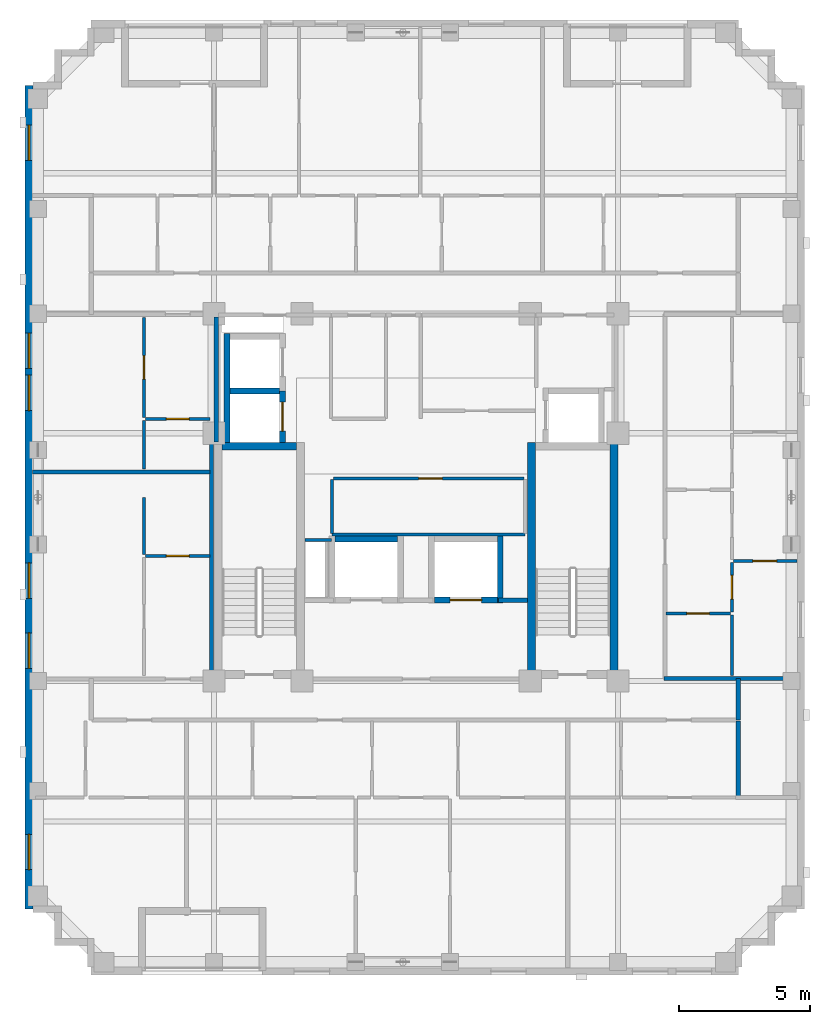
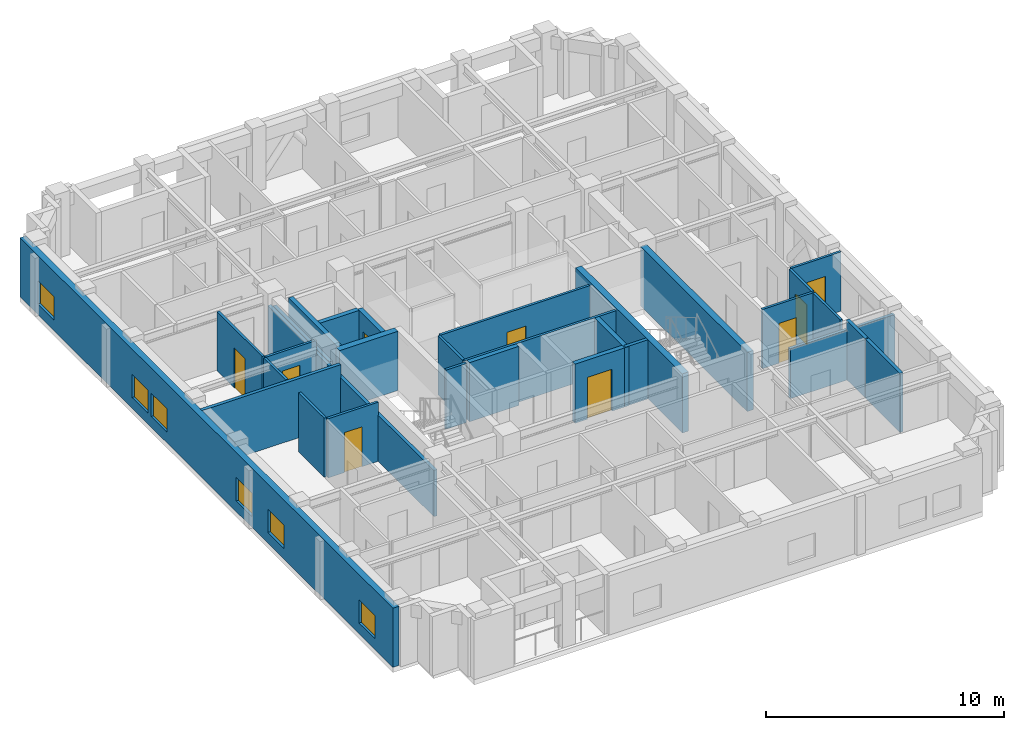
# One storey, part 4 of 10: 30 walls, 9 doors, 6 windows, 15 openings.
"""IFC4 building model written with IfcOpenShell, lengths in metres."""

from ifc_helpers import new_model, si_unit, derived_unit, direction, frame, frame_2d, origin, place, context, subcontext, project, spatial, rectangle, extrude, material, layer, layer_set, type_object, element, fill, save


model = new_model("IFC4")

# Units and contexts
model_context = context("Model", 3, precision=1e-05, world=origin(), true_north=direction((0.0, 1.0)))
body_context = subcontext(model_context, "Body", "Model", "MODEL_VIEW")
ifc_project = project(units=[si_unit("LENGTHUNIT", "METRE"), si_unit("AREAUNIT", "SQUARE_METRE"), si_unit("VOLUMEUNIT", "CUBIC_METRE"), si_unit("PLANEANGLEUNIT", "RADIAN"), si_unit("MASSUNIT", "GRAM", prefix="KILO"), derived_unit("THERMALTRANSMITTANCEUNIT", [(si_unit("MASSUNIT", "GRAM", prefix="KILO"), 1), (si_unit("TIMEUNIT", "SECOND"), -3), (si_unit("THERMODYNAMICTEMPERATUREUNIT", "KELVIN"), -1)])], contexts=[model_context])

# Site, building, storey
site_placement = place(None, origin())
site = spatial("IfcSite", under=ifc_project, at=site_placement, CompositionType="ELEMENT")
building_placement = place(site_placement, origin())
building = spatial("IfcBuilding", under=site, at=building_placement, Name="Korrvale Station Residences", CompositionType="ELEMENT")
storey_placement = place(building_placement, frame((0.0, 0.0, 207.39990234375)))
storey = spatial("IfcBuildingStorey", under=building, at=storey_placement, Name="L60", CompositionType="ELEMENT", Elevation=207.39990234375)

# Walls
ifc_material_1 = material(Name="Concrete C50/60", Category="concrete")
ifc_layer_1 = layer(ifc_material_1, 0.300048828125, Name="Concrete C50/60")
ifc_layer_set_1 = layer_set([ifc_layer_1], Name="Concrete C50/60")
wall_type_1 = type_object("IfcWallType", Name="WAL-CORE-300-C50", PredefinedType="SHEAR", material=ifc_layer_set_1)
wall_1_placement = place(storey_placement, frame((18.10009765625, 23.949951171875, 0.0), z_axis=(0.0, 0.0, 1.0), x_axis=(1.0, 0.0, 0.0)))
element("IfcWall", 1, at=wall_1_placement, inside=storey, type_object=wall_type_1, Name="L60 ST-1 Core Shear Wall North", PredefinedType="SHEAR", context=body_context, shape_type="SweptSolid", body=[
    extrude(rectangle(XDim=2.849853515625, YDim=0.300048828125, at=frame_2d((1.4248046875, 0.0))), origin(), (0.0, 0.0, 1.0), 3.0400390625),
])
for number, where, z_axis, x_axis, name in (
    (2, (29.89990234375, 15.10009765625, 0.0), (0.0, 0.0, 1.0), (0.0, 1.0, 0.0), "L60 ST-2 Core Shear Wall West"),
    (3, (33.050048828125, 15.10009765625, 0.0), (0.0, 0.0, 1.0), (0.0, 1.0, 0.0), "L60 ST-2 Core Shear Wall East"),
):
    element("IfcWall", number, at=place(storey_placement, frame(where, z_axis=z_axis, x_axis=x_axis)), inside=storey, type_object=wall_type_1, Name=name, PredefinedType="SHEAR", context=body_context, shape_type="SweptSolid", body=[
        extrude(rectangle(XDim=9.0, YDim=0.300048828125, at=frame_2d((4.5, 0.0))), origin(), (0.0, 0.0, 1.0), 3.0400390625),
    ])

# Wall, openings, windows
ifc_material_2 = material(Name="Precast concrete C45/55", Category="concrete")
ifc_layer_2 = layer(ifc_material_2, 0.300048828125, Name="Precast concrete C45/55")
ifc_layer_set_2 = layer_set([ifc_layer_2], Name="Precast concrete C45/55")
wall_type_2 = type_object("IfcWallType", Name="WAL-EXT-PC300", PredefinedType="SOLIDWALL", material=ifc_layer_set_2)
wall_2_placement = place(storey_placement, frame((10.75, 6.300048828125, 0.0), z_axis=(0.0, 0.0, 1.0), x_axis=(0.0, 1.0, 0.0)))
wall_2 = element("IfcWall", 4, at=wall_2_placement, inside=storey, type_object=wall_type_2, Name="L60 West Exterior Precast Wall 1", PredefinedType="SOLIDWALL", context=body_context, shape_type="SweptSolid", body=[
    extrude(rectangle(XDim=31.39990234375, YDim=0.300048828125, at=frame_2d((15.699951171875, 0.0))), origin(), (0.0, 0.0, 1.0), 3.0400390625),
])
opening_1_placement = place(wall_2_placement, frame((1.50390625, 0.0, 0.550048828125)))
opening_1 = element("IfcOpeningElement", 5, at=opening_1_placement, cuts=wall_2, Name="Opening W-10", PredefinedType="OPENING", context=body_context, shape_type="SweptSolid", body=[
    extrude(rectangle(XDim=1.35009765625, YDim=1.199951171875, at=frame_2d((0.675048828125, 0.60009765625))), frame((0.0, 0.16015625, 0.0), z_axis=(0.0, -1.0, 0.0), x_axis=(1.0, 0.0, 0.0)), (0.0, 0.0, 1.0), 0.320068359375),
])
opening_2_placement = place(wall_2_placement, frame((28.5458984375, 0.0, 0.550048828125)))
opening_2 = element("IfcOpeningElement", 6, at=opening_2_placement, cuts=wall_2, Name="Opening W-10", PredefinedType="OPENING", context=body_context, shape_type="SweptSolid", body=[
    extrude(rectangle(XDim=1.35009765625, YDim=1.199951171875, at=frame_2d((0.675048828125, 0.60009765625))), frame((0.0, 0.16015625, 0.0), z_axis=(0.0, -1.0, 0.0), x_axis=(1.0, 0.0, 0.0)), (0.0, 0.0, 1.0), 0.320068359375),
])
opening_3_placement = place(wall_2_placement, frame((11.85009765625, 0.0, 0.550048828125)))
opening_3 = element("IfcOpeningElement", 7, at=opening_3_placement, cuts=wall_2, Name="Opening W-10", PredefinedType="OPENING", context=body_context, shape_type="SweptSolid", body=[
    extrude(rectangle(XDim=1.35009765625, YDim=1.199951171875, at=frame_2d((0.675048828125, 0.60009765625))), frame((0.0, 0.16015625, 0.0), z_axis=(0.0, -1.0, 0.0), x_axis=(1.0, 0.0, 0.0)), (0.0, 0.0, 1.0), 0.320068359375),
])
opening_4_placement = place(wall_2_placement, frame((9.18505859375, 0.0, 0.550048828125)))
opening_4 = element("IfcOpeningElement", 8, at=opening_4_placement, cuts=wall_2, Name="Opening W-10", PredefinedType="OPENING", context=body_context, shape_type="SweptSolid", body=[
    extrude(rectangle(XDim=1.35009765625, YDim=1.199951171875, at=frame_2d((0.675048828125, 0.60009765625))), frame((0.0, 0.16015625, 0.0), z_axis=(0.0, -1.0, 0.0), x_axis=(1.0, 0.0, 0.0)), (0.0, 0.0, 1.0), 0.320068359375),
])
opening_5_placement = place(wall_2_placement, frame((19.006103515625, 0.0, 0.550048828125)))
opening_5 = element("IfcOpeningElement", 9, at=opening_5_placement, cuts=wall_2, Name="Opening W-10", PredefinedType="OPENING", context=body_context, shape_type="SweptSolid", body=[
    extrude(rectangle(XDim=1.35009765625, YDim=1.199951171875, at=frame_2d((0.675048828125, 0.60009765625))), frame((0.0, 0.16015625, 0.0), z_axis=(0.0, -1.0, 0.0), x_axis=(1.0, 0.0, 0.0)), (0.0, 0.0, 1.0), 0.320068359375),
])
opening_6_placement = place(wall_2_placement, frame((20.615966796875, 0.0, 0.550048828125)))
opening_6 = element("IfcOpeningElement", 10, at=opening_6_placement, cuts=wall_2, Name="Opening W-10", PredefinedType="OPENING", context=body_context, shape_type="SweptSolid", body=[
    extrude(rectangle(XDim=1.35009765625, YDim=1.199951171875, at=frame_2d((0.675048828125, 0.60009765625))), frame((0.0, 0.16015625, 0.0), z_axis=(0.0, -1.0, 0.0), x_axis=(1.0, 0.0, 0.0)), (0.0, 0.0, 1.0), 0.320068359375),
])
ifc_material_3 = material(Name="Thermally broken aluminium frame with triple low-e glazing", Category="aluminium")
window_type = type_object("IfcWindowType", Name="WIN-W10", PartitioningType="SINGLE_PANEL", PredefinedType="WINDOW", material=ifc_material_3)
window_1_placement = place(opening_1_placement, origin())
window_1 = element("IfcWindow", 11, at=window_1_placement, inside=storey, type_object=window_type, Name="L60 Punched Window 01", OverallHeight=1.199951171875, OverallWidth=1.35009765625, PartitioningType="SINGLE_PANEL", PredefinedType="WINDOW", context=body_context, shape_type="SweptSolid", body=[
    extrude(rectangle(XDim=1.35009765625, YDim=1.199951171875, at=frame_2d((0.675048828125, 0.60009765625))), frame((0.0, 0.030029296875, 0.0), z_axis=(0.0, -1.0, 0.0), x_axis=(1.0, 0.0, 0.0)), (0.0, 0.0, 1.0), 0.06005859375),
])
fill(opening_1, window_1)
window_2_placement = place(opening_2_placement, origin())
window_2 = element("IfcWindow", 12, at=window_2_placement, inside=storey, type_object=window_type, Name="L60 Punched Window 06", OverallHeight=1.199951171875, OverallWidth=1.35009765625, PartitioningType="SINGLE_PANEL", PredefinedType="WINDOW", context=body_context, shape_type="SweptSolid", body=[
    extrude(rectangle(XDim=1.35009765625, YDim=1.199951171875, at=frame_2d((0.675048828125, 0.60009765625))), frame((0.0, 0.030029296875, 0.0), z_axis=(0.0, -1.0, 0.0), x_axis=(1.0, 0.0, 0.0)), (0.0, 0.0, 1.0), 0.06005859375),
])
fill(opening_2, window_2)
window_3_placement = place(opening_3_placement, origin())
window_3 = element("IfcWindow", 13, at=window_3_placement, inside=storey, type_object=window_type, Name="L60 Punched Window 11", OverallHeight=1.199951171875, OverallWidth=1.35009765625, PartitioningType="SINGLE_PANEL", PredefinedType="WINDOW", context=body_context, shape_type="SweptSolid", body=[
    extrude(rectangle(XDim=1.35009765625, YDim=1.199951171875, at=frame_2d((0.675048828125, 0.60009765625))), frame((0.0, 0.030029296875, 0.0), z_axis=(0.0, -1.0, 0.0), x_axis=(1.0, 0.0, 0.0)), (0.0, 0.0, 1.0), 0.06005859375),
])
fill(opening_3, window_3)
window_4_placement = place(opening_4_placement, origin())
window_4 = element("IfcWindow", 14, at=window_4_placement, inside=storey, type_object=window_type, Name="L60 Punched Window 12", OverallHeight=1.199951171875, OverallWidth=1.35009765625, PartitioningType="SINGLE_PANEL", PredefinedType="WINDOW", context=body_context, shape_type="SweptSolid", body=[
    extrude(rectangle(XDim=1.35009765625, YDim=1.199951171875, at=frame_2d((0.675048828125, 0.60009765625))), frame((0.0, 0.030029296875, 0.0), z_axis=(0.0, -1.0, 0.0), x_axis=(1.0, 0.0, 0.0)), (0.0, 0.0, 1.0), 0.06005859375),
])
fill(opening_4, window_4)
window_5_placement = place(opening_5_placement, origin())
window_5 = element("IfcWindow", 15, at=window_5_placement, inside=storey, type_object=window_type, Name="L60 Punched Window 13", OverallHeight=1.199951171875, OverallWidth=1.35009765625, PartitioningType="SINGLE_PANEL", PredefinedType="WINDOW", context=body_context, shape_type="SweptSolid", body=[
    extrude(rectangle(XDim=1.35009765625, YDim=1.199951171875, at=frame_2d((0.675048828125, 0.60009765625))), frame((0.0, 0.030029296875, 0.0), z_axis=(0.0, -1.0, 0.0), x_axis=(1.0, 0.0, 0.0)), (0.0, 0.0, 1.0), 0.06005859375),
])
fill(opening_5, window_5)
window_6_placement = place(opening_6_placement, origin())
window_6 = element("IfcWindow", 16, at=window_6_placement, inside=storey, type_object=window_type, Name="L60 Punched Window 14", OverallHeight=1.199951171875, OverallWidth=1.35009765625, PartitioningType="SINGLE_PANEL", PredefinedType="WINDOW", context=body_context, shape_type="SweptSolid", body=[
    extrude(rectangle(XDim=1.35009765625, YDim=1.199951171875, at=frame_2d((0.675048828125, 0.60009765625))), frame((0.0, 0.030029296875, 0.0), z_axis=(0.0, -1.0, 0.0), x_axis=(1.0, 0.0, 0.0)), (0.0, 0.0, 1.0), 0.06005859375),
])
fill(opening_6, window_6)

# Walls
ifc_material_4 = material(Name="Acoustic steel-stud gypsum board partition", Category="steel")
ifc_layer_3 = layer(ifc_material_4, 0.1201171875, Name="Acoustic steel-stud gypsum board partition")
ifc_layer_set_3 = layer_set([ifc_layer_3], Name="Acoustic steel-stud gypsum board partition")
wall_type_3 = type_object("IfcWallType", Name="WAL-PART-125", PredefinedType="PARTITIONING", material=ifc_layer_set_3)
wall_3_placement = place(storey_placement, frame((22.280029296875, 20.3798828125, 0.0), z_axis=(0.0, 0.0, 1.0), x_axis=(-1.0, 0.0, 0.0)))
element("IfcWall", 17, at=wall_3_placement, inside=storey, type_object=wall_type_3, Name="L60 Core Partition CW-RSWT-N", PredefinedType="PARTITIONING", context=body_context, shape_type="SweptSolid", body=[
    extrude(rectangle(XDim=1.02001953125, YDim=0.1201171875, at=frame_2d((0.510009765625, 0.0))), origin(), (0.0, 0.0, 1.0), 3.0400390625),
])
wall_4_placement = place(storey_placement, frame((22.300048828125, 20.580078125, 0.0), z_axis=(0.0, 0.0, 1.0), x_axis=(1.0, 0.0, 0.0)))
element("IfcWall", 18, at=wall_4_placement, inside=storey, type_object=wall_type_3, Name="L60 Core Partition CW-FPM-S", PredefinedType="PARTITIONING", context=body_context, shape_type="SweptSolid", body=[
    extrude(rectangle(XDim=7.349853515625, YDim=0.1201171875, at=frame_2d((3.6748046875, 0.0))), origin(), (0.0, 0.0, 1.0), 3.0400390625),
])
wall_5_placement = place(storey_placement, frame((22.300048828125, 20.6201171875, 0.0), z_axis=(0.0, 0.0, 1.0), x_axis=(0.0, 1.0, 0.0)))
element("IfcWall", 19, at=wall_5_placement, inside=storey, type_object=wall_type_3, Name="L60 Core Partition CW-FPM-W", PredefinedType="PARTITIONING", context=body_context, shape_type="SweptSolid", body=[
    extrude(rectangle(XDim=2.059814453125, YDim=0.1201171875, at=frame_2d((1.02978515625, 0.0))), origin(), (0.0, 0.0, 1.0), 3.0400390625),
])

# Wall, opening, door
wall_6_placement = place(storey_placement, frame((22.35009765625, 22.719970703125, 0.0), z_axis=(0.0, 0.0, 1.0), x_axis=(1.0, 0.0, 0.0)))
wall_6 = element("IfcWall", 20, at=wall_6_placement, inside=storey, type_object=wall_type_3, Name="L60 Core Partition CW-FPM-N", PredefinedType="PARTITIONING", context=body_context, shape_type="SweptSolid", body=[
    extrude(rectangle(XDim=7.27001953125, YDim=0.1201171875, at=frame_2d((3.635009765625, 0.0))), origin(), (0.0, 0.0, 1.0), 3.0400390625),
])
opening_7_placement = place(wall_6_placement, frame((3.25, 0.0, 0.0)))
opening_7 = element("IfcOpeningElement", 21, at=opening_7_placement, cuts=wall_6, Name="Opening DI-900", PredefinedType="OPENING", context=body_context, shape_type="SweptSolid", body=[
    extrude(rectangle(XDim=0.89990234375, YDim=2.050048828125, at=frame_2d((0.449951171875, 1.02490234375))), frame((0.0, 0.070068359375, 0.0), z_axis=(0.0, -1.0, 0.0), x_axis=(1.0, 0.0, 0.0)), (0.0, 0.0, 1.0), 0.14013671875),
])
ifc_material_5 = material(Name="Painted solid-core timber interior room door", Category="wood")
door_type_1 = type_object("IfcDoorType", Name="DR-INT-900", OperationType="NOTDEFINED", PredefinedType="DOOR", material=ifc_material_5)
door_1_placement = place(opening_7_placement, origin())
door_1 = element("IfcDoor", 22, at=door_1_placement, inside=storey, type_object=door_type_1, Name="L60 Beverage Store Door", OperationType="SINGLE_SWING_RIGHT", OverallHeight=2.050048828125, OverallWidth=0.89990234375, PredefinedType="DOOR", context=body_context, shape_type="SweptSolid", body=[
    extrude(rectangle(XDim=0.89990234375, YDim=2.050048828125, at=frame_2d((0.449951171875, 1.02490234375))), frame((0.0, 0.02490234375, 0.0), z_axis=(0.0, -1.0, 0.0), x_axis=(1.0, 0.0, 0.0)), (0.0, 0.0, 1.0), 0.050048828125),
])
fill(opening_7, door_1)

wall_7_placement = place(storey_placement, frame((15.18994140625, 19.77001953125, 0.0), z_axis=(0.0, 0.0, 1.0), x_axis=(1.0, 0.0, 0.0)))
wall_7 = element("IfcWall", 23, at=wall_7_placement, inside=storey, type_object=wall_type_3, Name="L60 Suite Partition U06-H01", PredefinedType="PARTITIONING", context=body_context, shape_type="SweptSolid", body=[
    extrude(rectangle(XDim=2.449951171875, YDim=0.1201171875, at=frame_2d((1.22509765625, 0.0))), origin(), (0.0, 0.0, 1.0), 3.0400390625),
])
opening_8_placement = place(wall_7_placement, frame((0.794921875, 0.0, 0.0)))
opening_8 = element("IfcOpeningElement", 24, at=opening_8_placement, cuts=wall_7, Name="Opening DB-860", PredefinedType="OPENING", context=body_context, shape_type="SweptSolid", body=[
    extrude(rectangle(XDim=0.860107421875, YDim=2.050048828125, at=frame_2d((0.43017578125, 1.02490234375))), frame((0.0, 0.070068359375, 0.0), z_axis=(0.0, -1.0, 0.0), x_axis=(1.0, 0.0, 0.0)), (0.0, 0.0, 1.0), 0.14013671875),
])
ifc_material_6 = material(Name="Moisture-resistant solid-core bathroom door", Category="timber")
door_type_2 = type_object("IfcDoorType", Name="DR-BATH-860", OperationType="NOTDEFINED", PredefinedType="DOOR", material=ifc_material_6)
door_2_placement = place(opening_8_placement, origin())
door_2 = element("IfcDoor", 25, at=door_2_placement, inside=storey, type_object=door_type_2, Name="L60 Apartment 1BR L60-U06 Bathroom Door", OperationType="SINGLE_SWING_RIGHT", OverallHeight=2.050048828125, OverallWidth=0.860107421875, PredefinedType="DOOR", context=body_context, shape_type="SweptSolid", body=[
    extrude(rectangle(XDim=0.860107421875, YDim=2.050048828125, at=frame_2d((0.43017578125, 1.02490234375))), frame((0.0, 0.02490234375, 0.0), z_axis=(0.0, -1.0, 0.0), x_axis=(1.0, 0.0, 0.0)), (0.0, 0.0, 1.0), 0.050048828125),
])
fill(opening_8, door_2)

# Wall
wall_8_placement = place(storey_placement, frame((15.1298828125, 19.830078125, 0.0), z_axis=(0.0, 0.0, 1.0), x_axis=(0.0, 1.0, 0.0)))
element("IfcWall", 26, at=wall_8_placement, inside=storey, type_object=wall_type_3, Name="L60 Suite Partition U06-V02", PredefinedType="PARTITIONING", context=body_context, shape_type="SweptSolid", body=[
    extrude(rectangle(XDim=2.158935546875, YDim=0.1201171875, at=frame_2d((1.07958984375, 0.0))), origin(), (0.0, 0.0, 1.0), 3.0400390625),
])

# Wall, opening, door
wall_9_placement = place(storey_placement, frame((15.18994140625, 24.991943359375, 0.0), z_axis=(0.0, 0.0, 1.0), x_axis=(1.0, 0.0, 0.0)))
wall_9 = element("IfcWall", 27, at=wall_9_placement, inside=storey, type_object=wall_type_3, Name="L60 Suite Partition U07-H01", PredefinedType="PARTITIONING", context=body_context, shape_type="SweptSolid", body=[
    extrude(rectangle(XDim=2.449951171875, YDim=0.1201171875, at=frame_2d((1.22509765625, 0.0))), origin(), (0.0, 0.0, 1.0), 3.0400390625),
])
opening_9_placement = place(wall_9_placement, frame((0.794921875, 0.0, 0.0)))
opening_9 = element("IfcOpeningElement", 28, at=opening_9_placement, cuts=wall_9, Name="Opening DB-860", PredefinedType="OPENING", context=body_context, shape_type="SweptSolid", body=[
    extrude(rectangle(XDim=0.860107421875, YDim=2.050048828125, at=frame_2d((0.43017578125, 1.02490234375))), frame((0.0, 0.070068359375, 0.0), z_axis=(0.0, -1.0, 0.0), x_axis=(1.0, 0.0, 0.0)), (0.0, 0.0, 1.0), 0.14013671875),
])
door_3_placement = place(opening_9_placement, origin())
door_3 = element("IfcDoor", 29, at=door_3_placement, inside=storey, type_object=door_type_2, Name="L60 Apartment 1BR L60-U07 Bathroom Door", OperationType="SINGLE_SWING_LEFT", OverallHeight=2.050048828125, OverallWidth=0.860107421875, PredefinedType="DOOR", context=body_context, shape_type="SweptSolid", body=[
    extrude(rectangle(XDim=0.860107421875, YDim=2.050048828125, at=frame_2d((0.43017578125, 1.02490234375))), frame((0.0, 0.02490234375, 0.0), z_axis=(0.0, -1.0, 0.0), x_axis=(1.0, 0.0, 0.0)), (0.0, 0.0, 1.0), 0.050048828125),
])
fill(opening_9, door_3)

# Wall
wall_10_placement = place(storey_placement, frame((15.1298828125, 23.08203125, 0.0), z_axis=(0.0, 0.0, 1.0), x_axis=(0.0, 1.0, 0.0)))
element("IfcWall", 30, at=wall_10_placement, inside=storey, type_object=wall_type_3, Name="L60 Suite Partition U07-V02", PredefinedType="PARTITIONING", context=body_context, shape_type="SweptSolid", body=[
    extrude(rectangle(XDim=1.849853515625, YDim=0.1201171875, at=frame_2d((0.9248046875, 0.0))), origin(), (0.0, 0.0, 1.0), 3.0400390625),
])

# Wall, opening, door
wall_11_placement = place(storey_placement, frame((15.1298828125, 25.052001953125, 0.0), z_axis=(0.0, 0.0, 1.0), x_axis=(0.0, 1.0, 0.0)))
wall_11 = element("IfcWall", 31, at=wall_11_placement, inside=storey, type_object=wall_type_3, Name="L60 Suite Partition U07-V12", PredefinedType="PARTITIONING", context=body_context, shape_type="SweptSolid", body=[
    extrude(rectangle(XDim=3.80810546875, YDim=0.1201171875, at=frame_2d((1.904052734375, 0.0))), origin(), (0.0, 0.0, 1.0), 3.0400390625),
])
opening_10_placement = place(wall_11_placement, frame((1.4541015625, 0.0, 0.0)))
opening_10 = element("IfcOpeningElement", 32, at=opening_10_placement, cuts=wall_11, Name="Opening DI-900", PredefinedType="OPENING", context=body_context, shape_type="SweptSolid", body=[
    extrude(rectangle(XDim=0.89990234375, YDim=2.050048828125, at=frame_2d((0.449951171875, 1.02490234375))), frame((0.0, 0.070068359375, 0.0), z_axis=(0.0, -1.0, 0.0), x_axis=(1.0, 0.0, 0.0)), (0.0, 0.0, 1.0), 0.14013671875),
])
door_4_placement = place(opening_10_placement, origin())
door_4 = element("IfcDoor", 33, at=door_4_placement, inside=storey, type_object=door_type_1, Name="L60 Apartment 1BR L60-U07 Kitchen Door", OperationType="SINGLE_SWING_RIGHT", OverallHeight=2.050048828125, OverallWidth=0.89990234375, PredefinedType="DOOR", context=body_context, shape_type="SweptSolid", body=[
    extrude(rectangle(XDim=0.89990234375, YDim=2.050048828125, at=frame_2d((0.449951171875, 1.02490234375))), frame((0.0, 0.02490234375, 0.0), z_axis=(0.0, -1.0, 0.0), x_axis=(1.0, 0.0, 0.0)), (0.0, 0.0, 1.0), 0.050048828125),
])
fill(opening_10, door_4)

wall_12_placement = place(storey_placement, frame((35.030029296875, 17.570068359375, 0.0), z_axis=(0.0, 0.0, 1.0), x_axis=(1.0, 0.0, 0.0)))
wall_12 = element("IfcWall", 34, at=wall_12_placement, inside=storey, type_object=wall_type_3, Name="L60 Suite Partition U08-H12", PredefinedType="PARTITIONING", context=body_context, shape_type="SweptSolid", body=[
    extrude(rectangle(XDim=2.449951171875, YDim=0.1201171875, at=frame_2d((1.22509765625, 0.0))), origin(), (0.0, 0.0, 1.0), 3.0400390625),
])
opening_11_placement = place(wall_12_placement, frame((0.794921875, 0.0, 0.0)))
opening_11 = element("IfcOpeningElement", 35, at=opening_11_placement, cuts=wall_12, Name="Opening DB-860", PredefinedType="OPENING", context=body_context, shape_type="SweptSolid", body=[
    extrude(rectangle(XDim=0.860107421875, YDim=2.050048828125, at=frame_2d((0.43017578125, 1.02490234375))), frame((0.0, 0.070068359375, 0.0), z_axis=(0.0, -1.0, 0.0), x_axis=(1.0, 0.0, 0.0)), (0.0, 0.0, 1.0), 0.14013671875),
])
door_5_placement = place(opening_11_placement, origin())
door_5 = element("IfcDoor", 36, at=door_5_placement, inside=storey, type_object=door_type_2, Name="L60 Apartment 2BR L60-U08 Bathroom Door", OperationType="SINGLE_SWING_RIGHT", OverallHeight=2.050048828125, OverallWidth=0.860107421875, PredefinedType="DOOR", context=body_context, shape_type="SweptSolid", body=[
    extrude(rectangle(XDim=0.860107421875, YDim=2.050048828125, at=frame_2d((0.43017578125, 1.02490234375))), frame((0.0, 0.02490234375, 0.0), z_axis=(0.0, -1.0, 0.0), x_axis=(1.0, 0.0, 0.0)), (0.0, 0.0, 1.0), 0.050048828125),
])
fill(opening_11, door_5)

# Wall
wall_13_placement = place(storey_placement, frame((37.5400390625, 15.2099609375, 0.0), z_axis=(0.0, 0.0, 1.0), x_axis=(0.0, 1.0, 0.0)))
element("IfcWall", 37, at=wall_13_placement, inside=storey, type_object=wall_type_3, Name="L60 Suite Partition U08-V13", PredefinedType="PARTITIONING", context=body_context, shape_type="SweptSolid", body=[
    extrude(rectangle(XDim=2.300048828125, YDim=0.1201171875, at=frame_2d((1.14990234375, 0.0))), origin(), (0.0, 0.0, 1.0), 3.0400390625),
])

# Wall, opening, door
wall_14_placement = place(storey_placement, frame((37.5400390625, 17.6298828125, 0.0), z_axis=(0.0, 0.0, 1.0), x_axis=(0.0, 1.0, 0.0)))
wall_14 = element("IfcWall", 38, at=wall_14_placement, inside=storey, type_object=wall_type_3, Name="L60 Suite Partition U08-V23", PredefinedType="PARTITIONING", context=body_context, shape_type="SweptSolid", body=[
    extrude(rectangle(XDim=1.88818359375, YDim=0.1201171875, at=frame_2d((0.944091796875, 0.0))), origin(), (0.0, 0.0, 1.0), 3.0400390625),
])
opening_12_placement = place(wall_14_placement, frame((0.493896484375, 0.0, 0.0)))
opening_12 = element("IfcOpeningElement", 39, at=opening_12_placement, cuts=wall_14, Name="Opening DI-900", PredefinedType="OPENING", context=body_context, shape_type="SweptSolid", body=[
    extrude(rectangle(XDim=0.89990234375, YDim=2.050048828125, at=frame_2d((0.449951171875, 1.02490234375))), frame((0.0, 0.070068359375, 0.0), z_axis=(0.0, -1.0, 0.0), x_axis=(1.0, 0.0, 0.0)), (0.0, 0.0, 1.0), 0.14013671875),
])
door_6_placement = place(opening_12_placement, origin())
door_6 = element("IfcDoor", 40, at=door_6_placement, inside=storey, type_object=door_type_1, Name="L60 Apartment 2BR L60-U08 Kitchen Door", OperationType="SINGLE_SWING_LEFT", OverallHeight=2.050048828125, OverallWidth=0.89990234375, PredefinedType="DOOR", context=body_context, shape_type="SweptSolid", body=[
    extrude(rectangle(XDim=0.89990234375, YDim=2.050048828125, at=frame_2d((0.449951171875, 1.02490234375))), frame((0.0, 0.02490234375, 0.0), z_axis=(0.0, -1.0, 0.0), x_axis=(1.0, 0.0, 0.0)), (0.0, 0.0, 1.0), 0.050048828125),
])
fill(opening_12, door_6)

wall_15_placement = place(storey_placement, frame((37.60009765625, 19.577880859375, 0.0), z_axis=(0.0, 0.0, 1.0), x_axis=(1.0, 0.0, 0.0)))
wall_15 = element("IfcWall", 41, at=wall_15_placement, inside=storey, type_object=wall_type_3, Name="L60 Suite Partition U08-H34", PredefinedType="PARTITIONING", context=body_context, shape_type="SweptSolid", body=[
    extrude(rectangle(XDim=2.419921875, YDim=0.1201171875, at=frame_2d((1.2099609375, 0.0))), origin(), (0.0, 0.0, 1.0), 3.0400390625),
])
opening_13_placement = place(wall_15_placement, frame((0.7451171875, 0.0, 0.0)))
opening_13 = element("IfcOpeningElement", 42, at=opening_13_placement, cuts=wall_15, Name="Opening DI-900", PredefinedType="OPENING", context=body_context, shape_type="SweptSolid", body=[
    extrude(rectangle(XDim=0.89990234375, YDim=2.050048828125, at=frame_2d((0.449951171875, 1.02490234375))), frame((0.0, 0.070068359375, 0.0), z_axis=(0.0, -1.0, 0.0), x_axis=(1.0, 0.0, 0.0)), (0.0, 0.0, 1.0), 0.14013671875),
])
door_7_placement = place(opening_13_placement, origin())
door_7 = element("IfcDoor", 43, at=door_7_placement, inside=storey, type_object=door_type_1, Name="L60 Apartment 2BR L60-U08 Bedroom 1 Door", OperationType="SINGLE_SWING_LEFT", OverallHeight=2.050048828125, OverallWidth=0.89990234375, PredefinedType="DOOR", context=body_context, shape_type="SweptSolid", body=[
    extrude(rectangle(XDim=0.89990234375, YDim=2.050048828125, at=frame_2d((0.449951171875, 1.02490234375))), frame((0.0, 0.02490234375, 0.0), z_axis=(0.0, -1.0, 0.0), x_axis=(1.0, 0.0, 0.0)), (0.0, 0.0, 1.0), 0.050048828125),
])
fill(opening_13, door_7)

# Walls
ifc_material_7 = material(Name="Fire-rated twin-stud gypsum and mineral wool shaftwall assembly", Category="gypsum")
ifc_layer_4 = layer(ifc_material_7, 0.159912109375, Name="Fire-rated twin-stud gypsum and mineral wool shaftwall assembly")
ifc_layer_set_4 = layer_set([ifc_layer_4], Name="Fire-rated twin-stud gypsum and mineral wool shaftwall assembly")
wall_type_4 = type_object("IfcWallType", Name="WAL-PART-200", PredefinedType="PARTITIONING", material=ifc_layer_set_4)
wall_16_placement = place(storey_placement, frame((28.64990234375, 18.080078125, 0.0), z_axis=(0.0, 0.0, 1.0), x_axis=(1.0, 0.0, 0.0)))
element("IfcWall", 44, at=wall_16_placement, inside=storey, type_object=wall_type_4, Name="L60 Core Partition CW-FFL-N3", PredefinedType="PARTITIONING", context=body_context, shape_type="SweptSolid", body=[
    extrude(rectangle(XDim=1.10009765625, YDim=0.159912109375, at=frame_2d((0.550048828125, 0.0))), origin(), (0.0, 0.0, 1.0), 3.0400390625),
])
wall_17_placement = place(storey_placement, frame((17.8798828125, 24.1201171875, 0.0), z_axis=(0.0, 0.0, 1.0), x_axis=(0.0, 1.0, 0.0)))
element("IfcWall", 45, at=wall_17_placement, inside=storey, type_object=wall_type_4, Name="L60 Core Partition CW-W-N", PredefinedType="PARTITIONING", context=body_context, shape_type="SweptSolid", body=[
    extrude(rectangle(XDim=4.759765625, YDim=0.159912109375, at=frame_2d((2.3798828125, 0.0))), origin(), (0.0, 0.0, 1.0), 2.375),
])
wall_18_placement = place(storey_placement, frame((37.780029296875, 13.510009765625, 0.0), z_axis=(0.0, 0.0, 1.0), x_axis=(0.0, 1.0, 0.0)))
element("IfcWall", 46, at=wall_18_placement, inside=storey, type_object=wall_type_4, Name="L60 Corridor South East Cap", PredefinedType="PARTITIONING", context=body_context, shape_type="SweptSolid", body=[
    extrude(rectangle(XDim=1.580078125, YDim=0.159912109375, at=frame_2d((0.7900390625, 0.0))), origin(), (0.0, 0.0, 1.0), 3.0400390625),
])
wall_19_placement = place(storey_placement, frame((34.949951171875, 15.090087890625, 0.0), z_axis=(0.0, 0.0, 1.0), x_axis=(1.0, 0.0, 0.0)))
element("IfcWall", 47, at=wall_19_placement, inside=storey, type_object=wall_type_4, Name="L60 East Wing South Corridor Wall", PredefinedType="PARTITIONING", context=body_context, shape_type="SweptSolid", body=[
    extrude(rectangle(XDim=5.070068359375, YDim=0.159912109375, at=frame_2d((2.53515625, 0.0))), origin(), (0.0, 0.0, 1.0), 2.55615234375),
])
wall_20_placement = place(storey_placement, frame((37.780029296875, 10.56005859375, 0.0), z_axis=(0.0, 0.0, 1.0), x_axis=(0.0, 1.0, 0.0)))
element("IfcWall", 48, at=wall_20_placement, inside=storey, type_object=wall_type_4, Name="L60 Corner Step Cheek U03-R", PredefinedType="PARTITIONING", context=body_context, shape_type="SweptSolid", body=[
    extrude(rectangle(XDim=2.909912109375, YDim=0.159912109375, at=frame_2d((1.455078125, 0.0))), origin(), (0.0, 0.0, 1.0), 3.0400390625),
])
wall_21_placement = place(storey_placement, frame((10.8798828125, 22.9619140625, 0.0), z_axis=(0.0, 0.0, 1.0), x_axis=(1.0, 0.0, 0.0)))
element("IfcWall", 49, at=wall_21_placement, inside=storey, type_object=wall_type_4, Name="L60 Demising Wall U06-N", PredefinedType="PARTITIONING", context=body_context, shape_type="SweptSolid", body=[
    extrude(rectangle(XDim=6.760009765625, YDim=0.159912109375, at=frame_2d((3.3798828125, 0.0))), origin(), (0.0, 0.0, 1.0), 3.0400390625),
])
wall_22_placement = place(storey_placement, frame((17.699951171875, 15.02001953125, 0.0), z_axis=(0.0, 0.0, 1.0), x_axis=(0.0, 1.0, 0.0)))
element("IfcWall", 50, at=wall_22_placement, inside=storey, type_object=wall_type_4, Name="L60 Rated Corridor Wall W", PredefinedType="PARTITIONING", context=body_context, shape_type="SweptSolid", body=[
    extrude(rectangle(XDim=13.97998046875, YDim=0.159912109375, at=frame_2d((6.989990234375, 0.0))), origin(), (0.0, 0.0, 1.0), 2.375),
])
ifc_layer_5 = layer(ifc_material_1, 0.219970703125, Name="Concrete C50/60")
ifc_layer_set_5 = layer_set([ifc_layer_5], Name="Concrete C50/60")
wall_type_5 = type_object("IfcWallType", Name="WAL-SHAFT-220-C50", PredefinedType="SHEAR", material=ifc_layer_set_5)
wall_23_placement = place(storey_placement, frame((18.2900390625, 24.10009765625, 0.0), z_axis=(0.0, 0.0, 1.0), x_axis=(0.0, 1.0, 0.0)))
element("IfcWall", 51, at=wall_23_placement, inside=storey, type_object=wall_type_5, Name="L60 Elevator PH-1 Hoistway Wall West", PredefinedType="SHEAR", context=body_context, shape_type="SweptSolid", body=[
    extrude(rectangle(XDim=4.139892578125, YDim=0.219970703125, at=frame_2d((2.06982421875, 0.0))), origin(), (0.0, 0.0, 1.0), 3.0400390625),
])

# Wall, opening, door
wall_24_placement = place(storey_placement, frame((20.409912109375, 24.10009765625, 0.0), z_axis=(0.0, 0.0, 1.0), x_axis=(0.0, 1.0, 0.0)))
wall_24 = element("IfcWall", 52, at=wall_24_placement, inside=storey, type_object=wall_type_5, Name="L60 Elevator PH-1 Hoistway Wall East", PredefinedType="SHEAR", context=body_context, shape_type="SweptSolid", body=[
    extrude(rectangle(XDim=1.9599609375, YDim=0.219970703125, at=frame_2d((0.97998046875, 0.0))), origin(), (0.0, 0.0, 1.0), 3.0400390625),
])
opening_14_placement = place(wall_24_placement, frame((0.429931640625, 0.0, 0.0)))
opening_14 = element("IfcOpeningElement", 53, at=opening_14_placement, cuts=wall_24, Name="Opening LD-1100", PredefinedType="OPENING", context=body_context, shape_type="SweptSolid", body=[
    extrude(rectangle(XDim=1.10009765625, YDim=2.14990234375, at=frame_2d((0.550048828125, 1.074951171875))), frame((0.0, 0.1201171875, 0.0), z_axis=(0.0, -1.0, 0.0), x_axis=(1.0, 0.0, 0.0)), (0.0, 0.0, 1.0), 0.239990234375),
])
ifc_material_8 = material(Name="Brushed stainless-steel elevator landing sliding door", Category="steel")
door_type_3 = type_object("IfcDoorType", Name="DR-LIFT-1100", OperationType="SLIDING_TO_LEFT", PredefinedType="DOOR", material=ifc_material_8)
door_8_placement = place(opening_14_placement, origin())
door_8 = element("IfcDoor", 54, at=door_8_placement, inside=storey, type_object=door_type_3, Name="L60 Elevator PH-1 Sliding Landing Door", OperationType="SLIDING_TO_LEFT", OverallHeight=2.14990234375, OverallWidth=1.10009765625, PredefinedType="DOOR", context=body_context, shape_type="SweptSolid", body=[
    extrude(rectangle(XDim=1.10009765625, YDim=2.14990234375, at=frame_2d((0.550048828125, 1.074951171875))), frame((0.0, 0.02490234375, 0.0), z_axis=(0.0, -1.0, 0.0), x_axis=(1.0, 0.0, 0.0)), (0.0, 0.0, 1.0), 0.050048828125),
])
fill(opening_14, door_8)

# Walls
wall_25_placement = place(storey_placement, frame((18.39990234375, 26.06005859375, 0.0), z_axis=(0.0, 0.0, 1.0), x_axis=(1.0, 0.0, 0.0)))
element("IfcWall", 55, at=wall_25_placement, inside=storey, type_object=wall_type_5, Name="L60 Elevator PH-2 Hoistway Wall South", PredefinedType="SHEAR", context=body_context, shape_type="SweptSolid", body=[
    extrude(rectangle(XDim=1.900146484375, YDim=0.219970703125, at=frame_2d((0.9501953125, 0.0))), origin(), (0.0, 0.0, 1.0), 3.0400390625),
])
wall_26_placement = place(storey_placement, frame((22.39990234375, 20.409912109375, 0.0), z_axis=(0.0, 0.0, 1.0), x_axis=(1.0, 0.0, 0.0)))
element("IfcWall", 56, at=wall_26_placement, inside=storey, type_object=wall_type_5, Name="L60 Elevator FFL-1 Hoistway Wall North", PredefinedType="SHEAR", context=body_context, shape_type="SweptSolid", body=[
    extrude(rectangle(XDim=2.400146484375, YDim=0.219970703125, at=frame_2d((1.2001953125, 0.0))), origin(), (0.0, 0.0, 1.0), 3.0400390625),
])

# Wall, opening, door
wall_27_placement = place(storey_placement, frame((26.199951171875, 18.090087890625, 0.0), z_axis=(0.0, 0.0, 1.0), x_axis=(1.0, 0.0, 0.0)))
wall_27 = element("IfcWall", 57, at=wall_27_placement, inside=storey, type_object=wall_type_5, Name="L60 Elevator FFL-2 Hoistway Wall South", PredefinedType="SHEAR", context=body_context, shape_type="SweptSolid", body=[
    extrude(rectangle(XDim=2.400146484375, YDim=0.219970703125, at=frame_2d((1.2001953125, 0.0))), origin(), (0.0, 0.0, 1.0), 3.0400390625),
])
opening_15_placement = place(wall_27_placement, frame((0.60009765625, 0.0, 0.0)))
opening_15 = element("IfcOpeningElement", 58, at=opening_15_placement, cuts=wall_27, Name="Opening LD-FF1200", PredefinedType="OPENING", context=body_context, shape_type="SweptSolid", body=[
    extrude(rectangle(XDim=1.199951171875, YDim=2.14990234375, at=frame_2d((0.60009765625, 1.074951171875))), frame((0.0, 0.1201171875, 0.0), z_axis=(0.0, -1.0, 0.0), x_axis=(1.0, 0.0, 0.0)), (0.0, 0.0, 1.0), 0.239990234375),
])
ifc_material_9 = material(Name="Stainless-steel firefighter elevator landing sliding door", Category="steel")
door_type_4 = type_object("IfcDoorType", Name="DR-LIFT-FF1200", OperationType="SLIDING_TO_LEFT", PredefinedType="DOOR", material=ifc_material_9)
door_9_placement = place(opening_15_placement, origin())
door_9 = element("IfcDoor", 59, at=door_9_placement, inside=storey, type_object=door_type_4, Name="L60 Elevator FFL-2 Sliding Landing Door", OperationType="SLIDING_TO_LEFT", OverallHeight=2.14990234375, OverallWidth=1.199951171875, PredefinedType="DOOR", context=body_context, shape_type="SweptSolid", body=[
    extrude(rectangle(XDim=1.199951171875, YDim=2.14990234375, at=frame_2d((0.60009765625, 1.074951171875))), frame((0.0, 0.02490234375, 0.0), z_axis=(0.0, -1.0, 0.0), x_axis=(1.0, 0.0, 0.0)), (0.0, 0.0, 1.0), 0.050048828125),
])
fill(opening_15, door_9)

# Wall
wall_28_placement = place(storey_placement, frame((28.7099609375, 17.97998046875, 0.0), z_axis=(0.0, 0.0, 1.0), x_axis=(0.0, 1.0, 0.0)))
element("IfcWall", 60, at=wall_28_placement, inside=storey, type_object=wall_type_5, Name="L60 Elevator FFL-2 Hoistway Wall East", PredefinedType="SHEAR", context=body_context, shape_type="SweptSolid", body=[
    extrude(rectangle(XDim=2.5400390625, YDim=0.219970703125, at=frame_2d((1.27001953125, 0.0))), origin(), (0.0, 0.0, 1.0), 3.0400390625),
])

save(model, "model.ifc")
